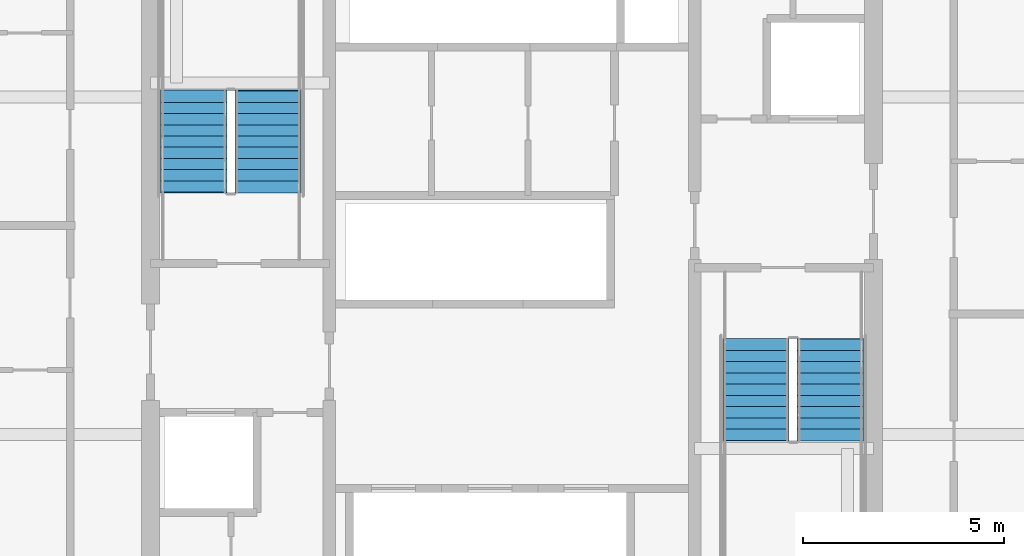
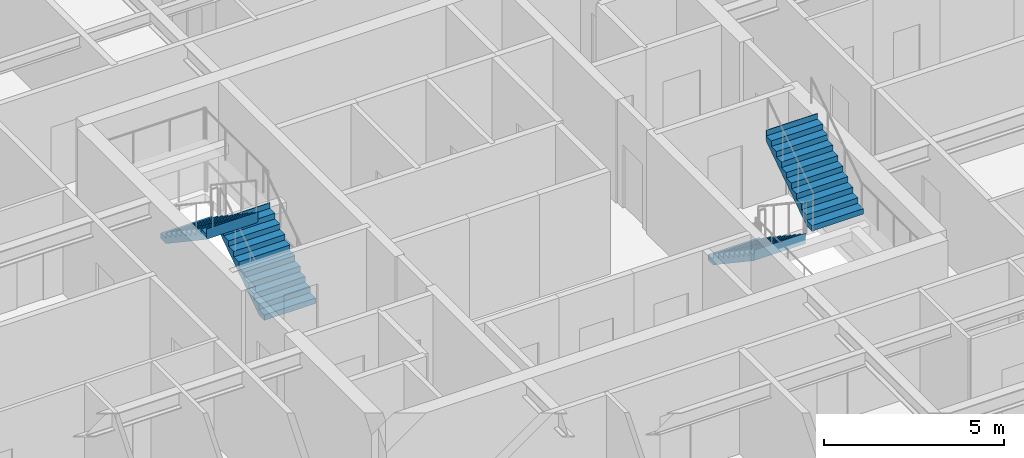
# One storey, part 32 of 39: 4 stair flights, 2 elements without a shape of their own.
"""IFC4 building model written with IfcOpenShell, lengths in metres."""

from ifc_helpers import new_model, si_unit, direction, frame, origin, place, context, subcontext, project, spatial, polygons, material, type_object, element, aggregate, save


model = new_model("IFC4")

# Units and contexts
model_context = context("Model", 3, precision=1e-05, world=origin(), true_north=direction((0.0, 1.0)))
body_context = subcontext(model_context, "Body", "Model", "MODEL_VIEW")
ifc_project = project(units=[si_unit("LENGTHUNIT", "METRE"), si_unit("AREAUNIT", "SQUARE_METRE"), si_unit("VOLUMEUNIT", "CUBIC_METRE"), si_unit("PLANEANGLEUNIT", "RADIAN"), si_unit("MASSUNIT", "GRAM", prefix="KILO")], contexts=[model_context])

# Site, building, storey
site_placement = place(None, origin())
site = spatial("IfcSite", under=ifc_project, at=site_placement, CompositionType="ELEMENT")
building_placement = place(site_placement, origin())
building = spatial("IfcBuilding", under=site, at=building_placement, Name="Serunith Strait Residences", CompositionType="ELEMENT")
storey_placement = place(building_placement, frame((0.0, 0.0, 60.449951171875)))
storey = spatial("IfcBuildingStorey", under=building, at=storey_placement, Name="L14", CompositionType="ELEMENT", Elevation=60.449951171875)

# Stair, stair flights
ifc_material = material(Name="Concrete C50/60", Category="concrete")
stair_type_1 = type_object("IfcStairType", Name="STR-CORE-1", PredefinedType="HALF_TURN_STAIR", material=ifc_material)
stair_1_placement = place(storey_placement, origin())
stair_1 = element("IfcStair", 1, at=stair_1_placement, inside=storey, type_object=stair_type_1, Name="L14 Protected Escape Stair ST-1", PredefinedType="HALF_TURN_STAIR")
stair_flight_type_1 = type_object("IfcStairFlightType", Name="FLT-CORE-1", PredefinedType="STRAIGHT", material=ifc_material)
stair_flight_1_placement = place(storey_placement, frame((26.324951171875, 27.030029296875, 0.0), z_axis=(0.0, 0.0, 1.0), x_axis=(0.0, 1.0, 0.0)))
stair_flight_1 = element("IfcStairFlight", 2, at=stair_flight_1_placement, type_object=stair_flight_type_1, Name="ST-1 flight 1", NumberOfRisers=10, NumberOfTreads=9, PredefinedType="STRAIGHT", RiserHeight=0.1875, TreadLength=0.28, context=body_context, shape_type="Tessellation", body=[
    polygons([(-0.02001953125, -0.824951171875, 0.0), (-0.02001953125, -0.824951171875, 0.1875), (0.280029296875, -0.824951171875, 0.1875), (0.280029296875, -0.824951171875, 0.375), (0.56005859375, -0.824951171875, 0.375), (0.56005859375, -0.824951171875, 0.5625), (0.840087890625, -0.824951171875, 0.5625), (0.840087890625, -0.824951171875, 0.75), (1.1201171875, -0.824951171875, 0.75), (1.1201171875, -0.824951171875, 0.9375), (1.39990234375, -0.824951171875, 0.9375), (1.39990234375, -0.824951171875, 1.125), (1.679931640625, -0.824951171875, 1.125), (1.679931640625, -0.824951171875, 1.3125), (1.9599609375, -0.824951171875, 1.3125), (1.9599609375, -0.824951171875, 1.5), (2.239990234375, -0.824951171875, 1.5), (2.239990234375, -0.824951171875, 1.6875), (2.52001953125, -0.824951171875, 1.6875), (2.52001953125, -0.824951171875, 1.875), (2.5400390625, -0.824951171875, 1.875), (2.5400390625, -0.824951171875, 1.81494140625), (2.52001953125, -0.824951171875, 1.507080078125), (0.26953125, -0.824951171875, 0.0), (-0.02001953125, -0.41259765625, 0.0), (-0.02001953125, -0.41259765625, 0.1875), (0.280029296875, -0.41259765625, 0.1875), (0.280029296875, -0.41259765625, 0.375), (0.56005859375, -0.41259765625, 0.375), (0.56005859375, -0.41259765625, 0.5625), (0.840087890625, -0.41259765625, 0.5625), (0.840087890625, -0.41259765625, 0.75), (1.1201171875, -0.41259765625, 0.75), (1.1201171875, -0.41259765625, 0.9375), (1.39990234375, -0.41259765625, 0.9375), (1.39990234375, -0.41259765625, 1.125), (1.679931640625, -0.41259765625, 1.125), (1.679931640625, -0.41259765625, 1.3125), (1.9599609375, -0.41259765625, 1.3125), (1.9599609375, -0.41259765625, 1.5), (2.239990234375, -0.41259765625, 1.5), (2.239990234375, -0.41259765625, 1.6875), (2.52001953125, -0.41259765625, 1.6875), (2.52001953125, -0.41259765625, 1.875), (2.5400390625, -0.41259765625, 1.875), (2.5400390625, -0.41259765625, 1.81494140625), (2.52001953125, -0.41259765625, 1.507080078125), (0.26953125, -0.41259765625, 0.0), (-0.02001953125, 0.0, 0.0), (-0.02001953125, 0.0, 0.1875), (0.280029296875, 0.0, 0.1875), (0.280029296875, 0.0, 0.375), (0.56005859375, 0.0, 0.375), (0.56005859375, 0.0, 0.5625), (0.840087890625, 0.0, 0.5625), (0.840087890625, 0.0, 0.75), (1.1201171875, 0.0, 0.75), (1.1201171875, 0.0, 0.9375), (1.39990234375, 0.0, 0.9375), (1.39990234375, 0.0, 1.125), (1.679931640625, 0.0, 1.125), (1.679931640625, 0.0, 1.3125), (1.9599609375, 0.0, 1.3125), (1.9599609375, 0.0, 1.5), (2.239990234375, 0.0, 1.5), (2.239990234375, 0.0, 1.6875), (2.52001953125, 0.0, 1.6875), (2.52001953125, 0.0, 1.875), (2.5400390625, 0.0, 1.875), (2.5400390625, 0.0, 1.81494140625), (2.52001953125, 0.0, 1.507080078125), (0.26953125, 0.0, 0.0), (-0.02001953125, 0.41259765625, 0.0), (-0.02001953125, 0.41259765625, 0.1875), (0.280029296875, 0.41259765625, 0.1875), (0.280029296875, 0.41259765625, 0.375), (0.56005859375, 0.41259765625, 0.375), (0.56005859375, 0.41259765625, 0.5625), (0.840087890625, 0.41259765625, 0.5625), (0.840087890625, 0.41259765625, 0.75), (1.1201171875, 0.41259765625, 0.75), (1.1201171875, 0.41259765625, 0.9375), (1.39990234375, 0.41259765625, 0.9375), (1.39990234375, 0.41259765625, 1.125), (1.679931640625, 0.41259765625, 1.125), (1.679931640625, 0.41259765625, 1.3125), (1.9599609375, 0.41259765625, 1.3125), (1.9599609375, 0.41259765625, 1.5), (2.239990234375, 0.41259765625, 1.5), (2.239990234375, 0.41259765625, 1.6875), (2.52001953125, 0.41259765625, 1.6875), (2.52001953125, 0.41259765625, 1.875), (2.5400390625, 0.41259765625, 1.875), (2.5400390625, 0.41259765625, 1.81494140625), (2.52001953125, 0.41259765625, 1.507080078125), (0.26953125, 0.41259765625, 0.0), (-0.02001953125, 0.824951171875, 0.0), (-0.02001953125, 0.824951171875, 0.1875), (0.280029296875, 0.824951171875, 0.1875), (0.280029296875, 0.824951171875, 0.375), (0.56005859375, 0.824951171875, 0.375), (0.56005859375, 0.824951171875, 0.5625), (0.840087890625, 0.824951171875, 0.5625), (0.840087890625, 0.824951171875, 0.75), (1.1201171875, 0.824951171875, 0.75), (1.1201171875, 0.824951171875, 0.9375), (1.39990234375, 0.824951171875, 0.9375), (1.39990234375, 0.824951171875, 1.125), (1.679931640625, 0.824951171875, 1.125), (1.679931640625, 0.824951171875, 1.3125), (1.9599609375, 0.824951171875, 1.3125), (1.9599609375, 0.824951171875, 1.5), (2.239990234375, 0.824951171875, 1.5), (2.239990234375, 0.824951171875, 1.6875), (2.52001953125, 0.824951171875, 1.6875), (2.52001953125, 0.824951171875, 1.875), (2.5400390625, 0.824951171875, 1.875), (2.5400390625, 0.824951171875, 1.81494140625), (2.52001953125, 0.824951171875, 1.507080078125), (0.26953125, 0.824951171875, 0.0)], [[[1, 2, 26, 25]], [[2, 3, 27, 26]], [[3, 4, 28, 27]], [[4, 5, 29, 28]], [[5, 6, 30, 29]], [[6, 7, 31, 30]], [[7, 8, 32, 31]], [[8, 9, 33, 32]], [[9, 10, 34, 33]], [[10, 11, 35, 34]], [[11, 12, 36, 35]], [[12, 13, 37, 36]], [[13, 14, 38, 37]], [[14, 15, 39, 38]], [[15, 16, 40, 39]], [[16, 17, 41, 40]], [[17, 18, 42, 41]], [[18, 19, 43, 42]], [[19, 20, 44, 43]], [[20, 21, 45, 44]], [[21, 22, 46, 45]], [[22, 23, 47, 46]], [[23, 24, 48, 47]], [[24, 1, 25, 48]], [[25, 26, 50, 49]], [[26, 27, 51, 50]], [[27, 28, 52, 51]], [[28, 29, 53, 52]], [[29, 30, 54, 53]], [[30, 31, 55, 54]], [[31, 32, 56, 55]], [[32, 33, 57, 56]], [[33, 34, 58, 57]], [[34, 35, 59, 58]], [[35, 36, 60, 59]], [[36, 37, 61, 60]], [[37, 38, 62, 61]], [[38, 39, 63, 62]], [[39, 40, 64, 63]], [[40, 41, 65, 64]], [[41, 42, 66, 65]], [[42, 43, 67, 66]], [[43, 44, 68, 67]], [[44, 45, 69, 68]], [[45, 46, 70, 69]], [[46, 47, 71, 70]], [[47, 48, 72, 71]], [[48, 25, 49, 72]], [[49, 50, 74, 73]], [[50, 51, 75, 74]], [[51, 52, 76, 75]], [[52, 53, 77, 76]], [[53, 54, 78, 77]], [[54, 55, 79, 78]], [[55, 56, 80, 79]], [[56, 57, 81, 80]], [[57, 58, 82, 81]], [[58, 59, 83, 82]], [[59, 60, 84, 83]], [[60, 61, 85, 84]], [[61, 62, 86, 85]], [[62, 63, 87, 86]], [[63, 64, 88, 87]], [[64, 65, 89, 88]], [[65, 66, 90, 89]], [[66, 67, 91, 90]], [[67, 68, 92, 91]], [[68, 69, 93, 92]], [[69, 70, 94, 93]], [[70, 71, 95, 94]], [[71, 72, 96, 95]], [[72, 49, 73, 96]], [[73, 74, 98, 97]], [[74, 75, 99, 98]], [[75, 76, 100, 99]], [[76, 77, 101, 100]], [[77, 78, 102, 101]], [[78, 79, 103, 102]], [[79, 80, 104, 103]], [[80, 81, 105, 104]], [[81, 82, 106, 105]], [[82, 83, 107, 106]], [[83, 84, 108, 107]], [[84, 85, 109, 108]], [[85, 86, 110, 109]], [[86, 87, 111, 110]], [[87, 88, 112, 111]], [[88, 89, 113, 112]], [[89, 90, 114, 113]], [[90, 91, 115, 114]], [[91, 92, 116, 115]], [[92, 93, 117, 116]], [[93, 94, 118, 117]], [[94, 95, 119, 118]], [[95, 96, 120, 119]], [[96, 73, 97, 120]], [[24, 23, 22, 21, 20, 19, 18, 17, 16, 15, 14, 13, 12, 11, 10, 9, 8, 7, 6, 5, 4, 3, 2, 1]], [[97, 98, 99, 100, 101, 102, 103, 104, 105, 106, 107, 108, 109, 110, 111, 112, 113, 114, 115, 116, 117, 118, 119, 120]]], closed=True),
])
stair_flight_2_placement = place(storey_placement, frame((24.47509765625, 29.550048828125, 1.875), z_axis=(0.0, 0.0, 1.0), x_axis=(0.0, -1.0, 0.0)))
stair_flight_2 = element("IfcStairFlight", 3, at=stair_flight_2_placement, type_object=stair_flight_type_1, Name="ST-1 flight 2", NumberOfRisers=10, NumberOfTreads=9, PredefinedType="STRAIGHT", RiserHeight=0.1875, TreadLength=0.28, context=body_context, shape_type="Tessellation", body=[
    polygons([(-0.02001953125, -0.824951171875, 0.0), (-0.02001953125, -0.824951171875, 0.1875), (0.280029296875, -0.824951171875, 0.1875), (0.280029296875, -0.824951171875, 0.375), (0.56005859375, -0.824951171875, 0.375), (0.56005859375, -0.824951171875, 0.5625), (0.840087890625, -0.824951171875, 0.5625), (0.840087890625, -0.824951171875, 0.75), (1.1201171875, -0.824951171875, 0.75), (1.1201171875, -0.824951171875, 0.9375), (1.39990234375, -0.824951171875, 0.9375), (1.39990234375, -0.824951171875, 1.125), (1.679931640625, -0.824951171875, 1.125), (1.679931640625, -0.824951171875, 1.3125), (1.9599609375, -0.824951171875, 1.3125), (1.9599609375, -0.824951171875, 1.5), (2.239990234375, -0.824951171875, 1.5), (2.239990234375, -0.824951171875, 1.6875), (2.52001953125, -0.824951171875, 1.6875), (2.52001953125, -0.824951171875, 1.875), (2.5400390625, -0.824951171875, 1.875), (2.5400390625, -0.824951171875, 1.81494140625), (2.52001953125, -0.824951171875, 1.507080078125), (0.26953125, -0.824951171875, 0.0), (-0.02001953125, -0.41259765625, 0.0), (-0.02001953125, -0.41259765625, 0.1875), (0.280029296875, -0.41259765625, 0.1875), (0.280029296875, -0.41259765625, 0.375), (0.56005859375, -0.41259765625, 0.375), (0.56005859375, -0.41259765625, 0.5625), (0.840087890625, -0.41259765625, 0.5625), (0.840087890625, -0.41259765625, 0.75), (1.1201171875, -0.41259765625, 0.75), (1.1201171875, -0.41259765625, 0.9375), (1.39990234375, -0.41259765625, 0.9375), (1.39990234375, -0.41259765625, 1.125), (1.679931640625, -0.41259765625, 1.125), (1.679931640625, -0.41259765625, 1.3125), (1.9599609375, -0.41259765625, 1.3125), (1.9599609375, -0.41259765625, 1.5), (2.239990234375, -0.41259765625, 1.5), (2.239990234375, -0.41259765625, 1.6875), (2.52001953125, -0.41259765625, 1.6875), (2.52001953125, -0.41259765625, 1.875), (2.5400390625, -0.41259765625, 1.875), (2.5400390625, -0.41259765625, 1.81494140625), (2.52001953125, -0.41259765625, 1.507080078125), (0.26953125, -0.41259765625, 0.0), (-0.02001953125, 0.0, 0.0), (-0.02001953125, 0.0, 0.1875), (0.280029296875, 0.0, 0.1875), (0.280029296875, 0.0, 0.375), (0.56005859375, 0.0, 0.375), (0.56005859375, 0.0, 0.5625), (0.840087890625, 0.0, 0.5625), (0.840087890625, 0.0, 0.75), (1.1201171875, 0.0, 0.75), (1.1201171875, 0.0, 0.9375), (1.39990234375, 0.0, 0.9375), (1.39990234375, 0.0, 1.125), (1.679931640625, 0.0, 1.125), (1.679931640625, 0.0, 1.3125), (1.9599609375, 0.0, 1.3125), (1.9599609375, 0.0, 1.5), (2.239990234375, 0.0, 1.5), (2.239990234375, 0.0, 1.6875), (2.52001953125, 0.0, 1.6875), (2.52001953125, 0.0, 1.875), (2.5400390625, 0.0, 1.875), (2.5400390625, 0.0, 1.81494140625), (2.52001953125, 0.0, 1.507080078125), (0.26953125, 0.0, 0.0), (-0.02001953125, 0.41259765625, 0.0), (-0.02001953125, 0.41259765625, 0.1875), (0.280029296875, 0.41259765625, 0.1875), (0.280029296875, 0.41259765625, 0.375), (0.56005859375, 0.41259765625, 0.375), (0.56005859375, 0.41259765625, 0.5625), (0.840087890625, 0.41259765625, 0.5625), (0.840087890625, 0.41259765625, 0.75), (1.1201171875, 0.41259765625, 0.75), (1.1201171875, 0.41259765625, 0.9375), (1.39990234375, 0.41259765625, 0.9375), (1.39990234375, 0.41259765625, 1.125), (1.679931640625, 0.41259765625, 1.125), (1.679931640625, 0.41259765625, 1.3125), (1.9599609375, 0.41259765625, 1.3125), (1.9599609375, 0.41259765625, 1.5), (2.239990234375, 0.41259765625, 1.5), (2.239990234375, 0.41259765625, 1.6875), (2.52001953125, 0.41259765625, 1.6875), (2.52001953125, 0.41259765625, 1.875), (2.5400390625, 0.41259765625, 1.875), (2.5400390625, 0.41259765625, 1.81494140625), (2.52001953125, 0.41259765625, 1.507080078125), (0.26953125, 0.41259765625, 0.0), (-0.02001953125, 0.824951171875, 0.0), (-0.02001953125, 0.824951171875, 0.1875), (0.280029296875, 0.824951171875, 0.1875), (0.280029296875, 0.824951171875, 0.375), (0.56005859375, 0.824951171875, 0.375), (0.56005859375, 0.824951171875, 0.5625), (0.840087890625, 0.824951171875, 0.5625), (0.840087890625, 0.824951171875, 0.75), (1.1201171875, 0.824951171875, 0.75), (1.1201171875, 0.824951171875, 0.9375), (1.39990234375, 0.824951171875, 0.9375), (1.39990234375, 0.824951171875, 1.125), (1.679931640625, 0.824951171875, 1.125), (1.679931640625, 0.824951171875, 1.3125), (1.9599609375, 0.824951171875, 1.3125), (1.9599609375, 0.824951171875, 1.5), (2.239990234375, 0.824951171875, 1.5), (2.239990234375, 0.824951171875, 1.6875), (2.52001953125, 0.824951171875, 1.6875), (2.52001953125, 0.824951171875, 1.875), (2.5400390625, 0.824951171875, 1.875), (2.5400390625, 0.824951171875, 1.81494140625), (2.52001953125, 0.824951171875, 1.507080078125), (0.26953125, 0.824951171875, 0.0)], [[[1, 2, 26, 25]], [[2, 3, 27, 26]], [[3, 4, 28, 27]], [[4, 5, 29, 28]], [[5, 6, 30, 29]], [[6, 7, 31, 30]], [[7, 8, 32, 31]], [[8, 9, 33, 32]], [[9, 10, 34, 33]], [[10, 11, 35, 34]], [[11, 12, 36, 35]], [[12, 13, 37, 36]], [[13, 14, 38, 37]], [[14, 15, 39, 38]], [[15, 16, 40, 39]], [[16, 17, 41, 40]], [[17, 18, 42, 41]], [[18, 19, 43, 42]], [[19, 20, 44, 43]], [[20, 21, 45, 44]], [[21, 22, 46, 45]], [[22, 23, 47, 46]], [[23, 24, 48, 47]], [[24, 1, 25, 48]], [[25, 26, 50, 49]], [[26, 27, 51, 50]], [[27, 28, 52, 51]], [[28, 29, 53, 52]], [[29, 30, 54, 53]], [[30, 31, 55, 54]], [[31, 32, 56, 55]], [[32, 33, 57, 56]], [[33, 34, 58, 57]], [[34, 35, 59, 58]], [[35, 36, 60, 59]], [[36, 37, 61, 60]], [[37, 38, 62, 61]], [[38, 39, 63, 62]], [[39, 40, 64, 63]], [[40, 41, 65, 64]], [[41, 42, 66, 65]], [[42, 43, 67, 66]], [[43, 44, 68, 67]], [[44, 45, 69, 68]], [[45, 46, 70, 69]], [[46, 47, 71, 70]], [[47, 48, 72, 71]], [[48, 25, 49, 72]], [[49, 50, 74, 73]], [[50, 51, 75, 74]], [[51, 52, 76, 75]], [[52, 53, 77, 76]], [[53, 54, 78, 77]], [[54, 55, 79, 78]], [[55, 56, 80, 79]], [[56, 57, 81, 80]], [[57, 58, 82, 81]], [[58, 59, 83, 82]], [[59, 60, 84, 83]], [[60, 61, 85, 84]], [[61, 62, 86, 85]], [[62, 63, 87, 86]], [[63, 64, 88, 87]], [[64, 65, 89, 88]], [[65, 66, 90, 89]], [[66, 67, 91, 90]], [[67, 68, 92, 91]], [[68, 69, 93, 92]], [[69, 70, 94, 93]], [[70, 71, 95, 94]], [[71, 72, 96, 95]], [[72, 49, 73, 96]], [[73, 74, 98, 97]], [[74, 75, 99, 98]], [[75, 76, 100, 99]], [[76, 77, 101, 100]], [[77, 78, 102, 101]], [[78, 79, 103, 102]], [[79, 80, 104, 103]], [[80, 81, 105, 104]], [[81, 82, 106, 105]], [[82, 83, 107, 106]], [[83, 84, 108, 107]], [[84, 85, 109, 108]], [[85, 86, 110, 109]], [[86, 87, 111, 110]], [[87, 88, 112, 111]], [[88, 89, 113, 112]], [[89, 90, 114, 113]], [[90, 91, 115, 114]], [[91, 92, 116, 115]], [[92, 93, 117, 116]], [[93, 94, 118, 117]], [[94, 95, 119, 118]], [[95, 96, 120, 119]], [[96, 73, 97, 120]], [[24, 23, 22, 21, 20, 19, 18, 17, 16, 15, 14, 13, 12, 11, 10, 9, 8, 7, 6, 5, 4, 3, 2, 1]], [[97, 98, 99, 100, 101, 102, 103, 104, 105, 106, 107, 108, 109, 110, 111, 112, 113, 114, 115, 116, 117, 118, 119, 120]]], closed=True),
])
aggregate(stair_1, [stair_flight_1, stair_flight_2])

stair_type_2 = type_object("IfcStairType", Name="STR-CORE-2", PredefinedType="HALF_TURN_STAIR", material=ifc_material)
stair_2_placement = place(storey_placement, origin())
stair_2 = element("IfcStair", 4, at=stair_2_placement, inside=storey, type_object=stair_type_2, Name="L14 Protected Escape Stair ST-2", PredefinedType="HALF_TURN_STAIR")
stair_flight_type_2 = type_object("IfcStairFlightType", Name="FLT-CORE-2", PredefinedType="STRAIGHT", material=ifc_material)
stair_flight_3_placement = place(storey_placement, frame((38.47509765625, 23.3701171875, 0.0), z_axis=(0.0, 0.0, 1.0), x_axis=(0.0, -1.0, 0.0)))
stair_flight_3 = element("IfcStairFlight", 5, at=stair_flight_3_placement, type_object=stair_flight_type_2, Name="ST-2 flight 1", NumberOfRisers=10, NumberOfTreads=9, PredefinedType="STRAIGHT", RiserHeight=0.1875, TreadLength=0.28, context=body_context, shape_type="Tessellation", body=[
    polygons([(-0.02001953125, -0.824951171875, 0.0), (-0.02001953125, -0.824951171875, 0.1875), (0.280029296875, -0.824951171875, 0.1875), (0.280029296875, -0.824951171875, 0.375), (0.56005859375, -0.824951171875, 0.375), (0.56005859375, -0.824951171875, 0.5625), (0.840087890625, -0.824951171875, 0.5625), (0.840087890625, -0.824951171875, 0.75), (1.1201171875, -0.824951171875, 0.75), (1.1201171875, -0.824951171875, 0.9375), (1.39990234375, -0.824951171875, 0.9375), (1.39990234375, -0.824951171875, 1.125), (1.679931640625, -0.824951171875, 1.125), (1.679931640625, -0.824951171875, 1.3125), (1.9599609375, -0.824951171875, 1.3125), (1.9599609375, -0.824951171875, 1.5), (2.239990234375, -0.824951171875, 1.5), (2.239990234375, -0.824951171875, 1.6875), (2.52001953125, -0.824951171875, 1.6875), (2.52001953125, -0.824951171875, 1.875), (2.5400390625, -0.824951171875, 1.875), (2.5400390625, -0.824951171875, 1.81494140625), (2.52001953125, -0.824951171875, 1.507080078125), (0.26953125, -0.824951171875, 0.0), (-0.02001953125, -0.41259765625, 0.0), (-0.02001953125, -0.41259765625, 0.1875), (0.280029296875, -0.41259765625, 0.1875), (0.280029296875, -0.41259765625, 0.375), (0.56005859375, -0.41259765625, 0.375), (0.56005859375, -0.41259765625, 0.5625), (0.840087890625, -0.41259765625, 0.5625), (0.840087890625, -0.41259765625, 0.75), (1.1201171875, -0.41259765625, 0.75), (1.1201171875, -0.41259765625, 0.9375), (1.39990234375, -0.41259765625, 0.9375), (1.39990234375, -0.41259765625, 1.125), (1.679931640625, -0.41259765625, 1.125), (1.679931640625, -0.41259765625, 1.3125), (1.9599609375, -0.41259765625, 1.3125), (1.9599609375, -0.41259765625, 1.5), (2.239990234375, -0.41259765625, 1.5), (2.239990234375, -0.41259765625, 1.6875), (2.52001953125, -0.41259765625, 1.6875), (2.52001953125, -0.41259765625, 1.875), (2.5400390625, -0.41259765625, 1.875), (2.5400390625, -0.41259765625, 1.81494140625), (2.52001953125, -0.41259765625, 1.507080078125), (0.26953125, -0.41259765625, 0.0), (-0.02001953125, 0.0, 0.0), (-0.02001953125, 0.0, 0.1875), (0.280029296875, 0.0, 0.1875), (0.280029296875, 0.0, 0.375), (0.56005859375, 0.0, 0.375), (0.56005859375, 0.0, 0.5625), (0.840087890625, 0.0, 0.5625), (0.840087890625, 0.0, 0.75), (1.1201171875, 0.0, 0.75), (1.1201171875, 0.0, 0.9375), (1.39990234375, 0.0, 0.9375), (1.39990234375, 0.0, 1.125), (1.679931640625, 0.0, 1.125), (1.679931640625, 0.0, 1.3125), (1.9599609375, 0.0, 1.3125), (1.9599609375, 0.0, 1.5), (2.239990234375, 0.0, 1.5), (2.239990234375, 0.0, 1.6875), (2.52001953125, 0.0, 1.6875), (2.52001953125, 0.0, 1.875), (2.5400390625, 0.0, 1.875), (2.5400390625, 0.0, 1.81494140625), (2.52001953125, 0.0, 1.507080078125), (0.26953125, 0.0, 0.0), (-0.02001953125, 0.41259765625, 0.0), (-0.02001953125, 0.41259765625, 0.1875), (0.280029296875, 0.41259765625, 0.1875), (0.280029296875, 0.41259765625, 0.375), (0.56005859375, 0.41259765625, 0.375), (0.56005859375, 0.41259765625, 0.5625), (0.840087890625, 0.41259765625, 0.5625), (0.840087890625, 0.41259765625, 0.75), (1.1201171875, 0.41259765625, 0.75), (1.1201171875, 0.41259765625, 0.9375), (1.39990234375, 0.41259765625, 0.9375), (1.39990234375, 0.41259765625, 1.125), (1.679931640625, 0.41259765625, 1.125), (1.679931640625, 0.41259765625, 1.3125), (1.9599609375, 0.41259765625, 1.3125), (1.9599609375, 0.41259765625, 1.5), (2.239990234375, 0.41259765625, 1.5), (2.239990234375, 0.41259765625, 1.6875), (2.52001953125, 0.41259765625, 1.6875), (2.52001953125, 0.41259765625, 1.875), (2.5400390625, 0.41259765625, 1.875), (2.5400390625, 0.41259765625, 1.81494140625), (2.52001953125, 0.41259765625, 1.507080078125), (0.26953125, 0.41259765625, 0.0), (-0.02001953125, 0.824951171875, 0.0), (-0.02001953125, 0.824951171875, 0.1875), (0.280029296875, 0.824951171875, 0.1875), (0.280029296875, 0.824951171875, 0.375), (0.56005859375, 0.824951171875, 0.375), (0.56005859375, 0.824951171875, 0.5625), (0.840087890625, 0.824951171875, 0.5625), (0.840087890625, 0.824951171875, 0.75), (1.1201171875, 0.824951171875, 0.75), (1.1201171875, 0.824951171875, 0.9375), (1.39990234375, 0.824951171875, 0.9375), (1.39990234375, 0.824951171875, 1.125), (1.679931640625, 0.824951171875, 1.125), (1.679931640625, 0.824951171875, 1.3125), (1.9599609375, 0.824951171875, 1.3125), (1.9599609375, 0.824951171875, 1.5), (2.239990234375, 0.824951171875, 1.5), (2.239990234375, 0.824951171875, 1.6875), (2.52001953125, 0.824951171875, 1.6875), (2.52001953125, 0.824951171875, 1.875), (2.5400390625, 0.824951171875, 1.875), (2.5400390625, 0.824951171875, 1.81494140625), (2.52001953125, 0.824951171875, 1.507080078125), (0.26953125, 0.824951171875, 0.0)], [[[1, 2, 26, 25]], [[2, 3, 27, 26]], [[3, 4, 28, 27]], [[4, 5, 29, 28]], [[5, 6, 30, 29]], [[6, 7, 31, 30]], [[7, 8, 32, 31]], [[8, 9, 33, 32]], [[9, 10, 34, 33]], [[10, 11, 35, 34]], [[11, 12, 36, 35]], [[12, 13, 37, 36]], [[13, 14, 38, 37]], [[14, 15, 39, 38]], [[15, 16, 40, 39]], [[16, 17, 41, 40]], [[17, 18, 42, 41]], [[18, 19, 43, 42]], [[19, 20, 44, 43]], [[20, 21, 45, 44]], [[21, 22, 46, 45]], [[22, 23, 47, 46]], [[23, 24, 48, 47]], [[24, 1, 25, 48]], [[25, 26, 50, 49]], [[26, 27, 51, 50]], [[27, 28, 52, 51]], [[28, 29, 53, 52]], [[29, 30, 54, 53]], [[30, 31, 55, 54]], [[31, 32, 56, 55]], [[32, 33, 57, 56]], [[33, 34, 58, 57]], [[34, 35, 59, 58]], [[35, 36, 60, 59]], [[36, 37, 61, 60]], [[37, 38, 62, 61]], [[38, 39, 63, 62]], [[39, 40, 64, 63]], [[40, 41, 65, 64]], [[41, 42, 66, 65]], [[42, 43, 67, 66]], [[43, 44, 68, 67]], [[44, 45, 69, 68]], [[45, 46, 70, 69]], [[46, 47, 71, 70]], [[47, 48, 72, 71]], [[48, 25, 49, 72]], [[49, 50, 74, 73]], [[50, 51, 75, 74]], [[51, 52, 76, 75]], [[52, 53, 77, 76]], [[53, 54, 78, 77]], [[54, 55, 79, 78]], [[55, 56, 80, 79]], [[56, 57, 81, 80]], [[57, 58, 82, 81]], [[58, 59, 83, 82]], [[59, 60, 84, 83]], [[60, 61, 85, 84]], [[61, 62, 86, 85]], [[62, 63, 87, 86]], [[63, 64, 88, 87]], [[64, 65, 89, 88]], [[65, 66, 90, 89]], [[66, 67, 91, 90]], [[67, 68, 92, 91]], [[68, 69, 93, 92]], [[69, 70, 94, 93]], [[70, 71, 95, 94]], [[71, 72, 96, 95]], [[72, 49, 73, 96]], [[73, 74, 98, 97]], [[74, 75, 99, 98]], [[75, 76, 100, 99]], [[76, 77, 101, 100]], [[77, 78, 102, 101]], [[78, 79, 103, 102]], [[79, 80, 104, 103]], [[80, 81, 105, 104]], [[81, 82, 106, 105]], [[82, 83, 107, 106]], [[83, 84, 108, 107]], [[84, 85, 109, 108]], [[85, 86, 110, 109]], [[86, 87, 111, 110]], [[87, 88, 112, 111]], [[88, 89, 113, 112]], [[89, 90, 114, 113]], [[90, 91, 115, 114]], [[91, 92, 116, 115]], [[92, 93, 117, 116]], [[93, 94, 118, 117]], [[94, 95, 119, 118]], [[95, 96, 120, 119]], [[96, 73, 97, 120]], [[24, 23, 22, 21, 20, 19, 18, 17, 16, 15, 14, 13, 12, 11, 10, 9, 8, 7, 6, 5, 4, 3, 2, 1]], [[97, 98, 99, 100, 101, 102, 103, 104, 105, 106, 107, 108, 109, 110, 111, 112, 113, 114, 115, 116, 117, 118, 119, 120]]], closed=True),
])
stair_flight_4_placement = place(storey_placement, frame((40.324951171875, 20.85009765625, 1.875), z_axis=(0.0, 0.0, 1.0), x_axis=(0.0, 1.0, 0.0)))
stair_flight_4 = element("IfcStairFlight", 6, at=stair_flight_4_placement, type_object=stair_flight_type_2, Name="ST-2 flight 2", NumberOfRisers=10, NumberOfTreads=9, PredefinedType="STRAIGHT", RiserHeight=0.1875, TreadLength=0.28, context=body_context, shape_type="Tessellation", body=[
    polygons([(-0.02001953125, -0.824951171875, 0.0), (-0.02001953125, -0.824951171875, 0.1875), (0.280029296875, -0.824951171875, 0.1875), (0.280029296875, -0.824951171875, 0.375), (0.56005859375, -0.824951171875, 0.375), (0.56005859375, -0.824951171875, 0.5625), (0.840087890625, -0.824951171875, 0.5625), (0.840087890625, -0.824951171875, 0.75), (1.1201171875, -0.824951171875, 0.75), (1.1201171875, -0.824951171875, 0.9375), (1.39990234375, -0.824951171875, 0.9375), (1.39990234375, -0.824951171875, 1.125), (1.679931640625, -0.824951171875, 1.125), (1.679931640625, -0.824951171875, 1.3125), (1.9599609375, -0.824951171875, 1.3125), (1.9599609375, -0.824951171875, 1.5), (2.239990234375, -0.824951171875, 1.5), (2.239990234375, -0.824951171875, 1.6875), (2.52001953125, -0.824951171875, 1.6875), (2.52001953125, -0.824951171875, 1.875), (2.5400390625, -0.824951171875, 1.875), (2.5400390625, -0.824951171875, 1.81494140625), (2.52001953125, -0.824951171875, 1.507080078125), (0.26953125, -0.824951171875, 0.0), (-0.02001953125, -0.41259765625, 0.0), (-0.02001953125, -0.41259765625, 0.1875), (0.280029296875, -0.41259765625, 0.1875), (0.280029296875, -0.41259765625, 0.375), (0.56005859375, -0.41259765625, 0.375), (0.56005859375, -0.41259765625, 0.5625), (0.840087890625, -0.41259765625, 0.5625), (0.840087890625, -0.41259765625, 0.75), (1.1201171875, -0.41259765625, 0.75), (1.1201171875, -0.41259765625, 0.9375), (1.39990234375, -0.41259765625, 0.9375), (1.39990234375, -0.41259765625, 1.125), (1.679931640625, -0.41259765625, 1.125), (1.679931640625, -0.41259765625, 1.3125), (1.9599609375, -0.41259765625, 1.3125), (1.9599609375, -0.41259765625, 1.5), (2.239990234375, -0.41259765625, 1.5), (2.239990234375, -0.41259765625, 1.6875), (2.52001953125, -0.41259765625, 1.6875), (2.52001953125, -0.41259765625, 1.875), (2.5400390625, -0.41259765625, 1.875), (2.5400390625, -0.41259765625, 1.81494140625), (2.52001953125, -0.41259765625, 1.507080078125), (0.26953125, -0.41259765625, 0.0), (-0.02001953125, 0.0, 0.0), (-0.02001953125, 0.0, 0.1875), (0.280029296875, 0.0, 0.1875), (0.280029296875, 0.0, 0.375), (0.56005859375, 0.0, 0.375), (0.56005859375, 0.0, 0.5625), (0.840087890625, 0.0, 0.5625), (0.840087890625, 0.0, 0.75), (1.1201171875, 0.0, 0.75), (1.1201171875, 0.0, 0.9375), (1.39990234375, 0.0, 0.9375), (1.39990234375, 0.0, 1.125), (1.679931640625, 0.0, 1.125), (1.679931640625, 0.0, 1.3125), (1.9599609375, 0.0, 1.3125), (1.9599609375, 0.0, 1.5), (2.239990234375, 0.0, 1.5), (2.239990234375, 0.0, 1.6875), (2.52001953125, 0.0, 1.6875), (2.52001953125, 0.0, 1.875), (2.5400390625, 0.0, 1.875), (2.5400390625, 0.0, 1.81494140625), (2.52001953125, 0.0, 1.507080078125), (0.26953125, 0.0, 0.0), (-0.02001953125, 0.41259765625, 0.0), (-0.02001953125, 0.41259765625, 0.1875), (0.280029296875, 0.41259765625, 0.1875), (0.280029296875, 0.41259765625, 0.375), (0.56005859375, 0.41259765625, 0.375), (0.56005859375, 0.41259765625, 0.5625), (0.840087890625, 0.41259765625, 0.5625), (0.840087890625, 0.41259765625, 0.75), (1.1201171875, 0.41259765625, 0.75), (1.1201171875, 0.41259765625, 0.9375), (1.39990234375, 0.41259765625, 0.9375), (1.39990234375, 0.41259765625, 1.125), (1.679931640625, 0.41259765625, 1.125), (1.679931640625, 0.41259765625, 1.3125), (1.9599609375, 0.41259765625, 1.3125), (1.9599609375, 0.41259765625, 1.5), (2.239990234375, 0.41259765625, 1.5), (2.239990234375, 0.41259765625, 1.6875), (2.52001953125, 0.41259765625, 1.6875), (2.52001953125, 0.41259765625, 1.875), (2.5400390625, 0.41259765625, 1.875), (2.5400390625, 0.41259765625, 1.81494140625), (2.52001953125, 0.41259765625, 1.507080078125), (0.26953125, 0.41259765625, 0.0), (-0.02001953125, 0.824951171875, 0.0), (-0.02001953125, 0.824951171875, 0.1875), (0.280029296875, 0.824951171875, 0.1875), (0.280029296875, 0.824951171875, 0.375), (0.56005859375, 0.824951171875, 0.375), (0.56005859375, 0.824951171875, 0.5625), (0.840087890625, 0.824951171875, 0.5625), (0.840087890625, 0.824951171875, 0.75), (1.1201171875, 0.824951171875, 0.75), (1.1201171875, 0.824951171875, 0.9375), (1.39990234375, 0.824951171875, 0.9375), (1.39990234375, 0.824951171875, 1.125), (1.679931640625, 0.824951171875, 1.125), (1.679931640625, 0.824951171875, 1.3125), (1.9599609375, 0.824951171875, 1.3125), (1.9599609375, 0.824951171875, 1.5), (2.239990234375, 0.824951171875, 1.5), (2.239990234375, 0.824951171875, 1.6875), (2.52001953125, 0.824951171875, 1.6875), (2.52001953125, 0.824951171875, 1.875), (2.5400390625, 0.824951171875, 1.875), (2.5400390625, 0.824951171875, 1.81494140625), (2.52001953125, 0.824951171875, 1.507080078125), (0.26953125, 0.824951171875, 0.0)], [[[1, 2, 26, 25]], [[2, 3, 27, 26]], [[3, 4, 28, 27]], [[4, 5, 29, 28]], [[5, 6, 30, 29]], [[6, 7, 31, 30]], [[7, 8, 32, 31]], [[8, 9, 33, 32]], [[9, 10, 34, 33]], [[10, 11, 35, 34]], [[11, 12, 36, 35]], [[12, 13, 37, 36]], [[13, 14, 38, 37]], [[14, 15, 39, 38]], [[15, 16, 40, 39]], [[16, 17, 41, 40]], [[17, 18, 42, 41]], [[18, 19, 43, 42]], [[19, 20, 44, 43]], [[20, 21, 45, 44]], [[21, 22, 46, 45]], [[22, 23, 47, 46]], [[23, 24, 48, 47]], [[24, 1, 25, 48]], [[25, 26, 50, 49]], [[26, 27, 51, 50]], [[27, 28, 52, 51]], [[28, 29, 53, 52]], [[29, 30, 54, 53]], [[30, 31, 55, 54]], [[31, 32, 56, 55]], [[32, 33, 57, 56]], [[33, 34, 58, 57]], [[34, 35, 59, 58]], [[35, 36, 60, 59]], [[36, 37, 61, 60]], [[37, 38, 62, 61]], [[38, 39, 63, 62]], [[39, 40, 64, 63]], [[40, 41, 65, 64]], [[41, 42, 66, 65]], [[42, 43, 67, 66]], [[43, 44, 68, 67]], [[44, 45, 69, 68]], [[45, 46, 70, 69]], [[46, 47, 71, 70]], [[47, 48, 72, 71]], [[48, 25, 49, 72]], [[49, 50, 74, 73]], [[50, 51, 75, 74]], [[51, 52, 76, 75]], [[52, 53, 77, 76]], [[53, 54, 78, 77]], [[54, 55, 79, 78]], [[55, 56, 80, 79]], [[56, 57, 81, 80]], [[57, 58, 82, 81]], [[58, 59, 83, 82]], [[59, 60, 84, 83]], [[60, 61, 85, 84]], [[61, 62, 86, 85]], [[62, 63, 87, 86]], [[63, 64, 88, 87]], [[64, 65, 89, 88]], [[65, 66, 90, 89]], [[66, 67, 91, 90]], [[67, 68, 92, 91]], [[68, 69, 93, 92]], [[69, 70, 94, 93]], [[70, 71, 95, 94]], [[71, 72, 96, 95]], [[72, 49, 73, 96]], [[73, 74, 98, 97]], [[74, 75, 99, 98]], [[75, 76, 100, 99]], [[76, 77, 101, 100]], [[77, 78, 102, 101]], [[78, 79, 103, 102]], [[79, 80, 104, 103]], [[80, 81, 105, 104]], [[81, 82, 106, 105]], [[82, 83, 107, 106]], [[83, 84, 108, 107]], [[84, 85, 109, 108]], [[85, 86, 110, 109]], [[86, 87, 111, 110]], [[87, 88, 112, 111]], [[88, 89, 113, 112]], [[89, 90, 114, 113]], [[90, 91, 115, 114]], [[91, 92, 116, 115]], [[92, 93, 117, 116]], [[93, 94, 118, 117]], [[94, 95, 119, 118]], [[95, 96, 120, 119]], [[96, 73, 97, 120]], [[24, 23, 22, 21, 20, 19, 18, 17, 16, 15, 14, 13, 12, 11, 10, 9, 8, 7, 6, 5, 4, 3, 2, 1]], [[97, 98, 99, 100, 101, 102, 103, 104, 105, 106, 107, 108, 109, 110, 111, 112, 113, 114, 115, 116, 117, 118, 119, 120]]], closed=True),
])
aggregate(stair_2, [stair_flight_3, stair_flight_4])

save(model, "model.ifc")
